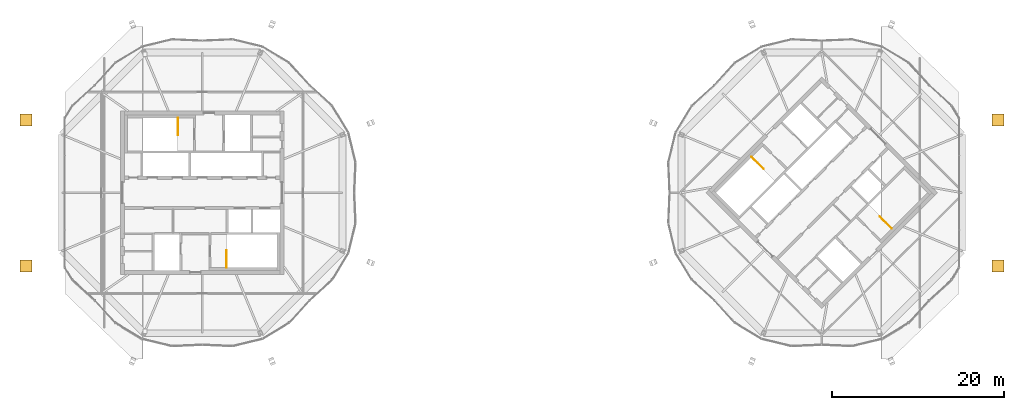
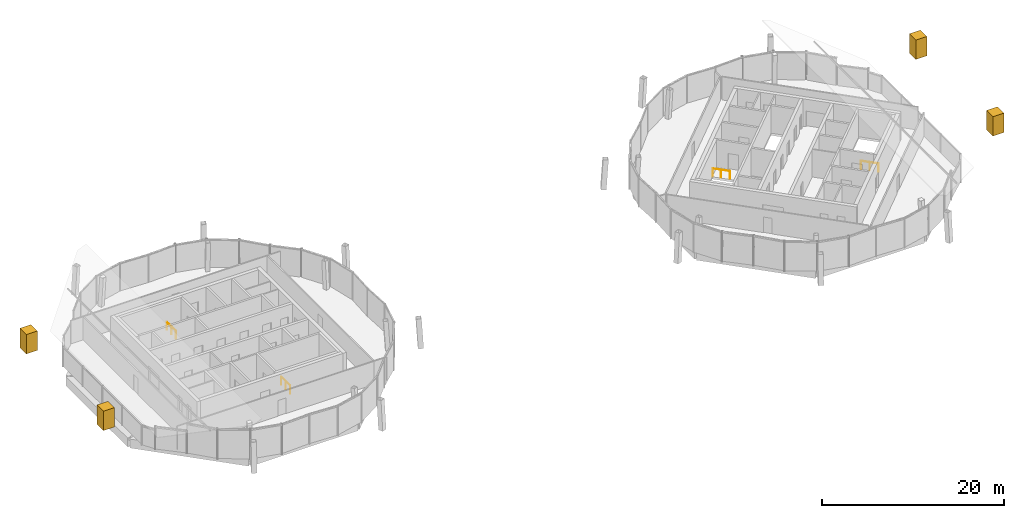
# One storey, part 23 of 23: 4 coverings, 4 railings.
"""IFC4 building model written with IfcOpenShell, lengths in metres."""

import ifcopenshell
import ifcopenshell.guid

model = None  # the IFC model being written
_history = None  # IfcOwnerHistory: only IFC2X3 demands one
_inside = {}  # id of a spatial element -> (the spatial element, [elements in it])
_under = {}  # id of a project, library or spatial element -> (it, [spatial elements below it])
_declared = {}  # id of a project -> (the project, [libraries it declares])
_typed = {}  # id of a type object -> (the type object, [elements of that type])
_made_of = {}  # id of a material, layer set ... -> (it, [elements and type objects made of it])


def new_model(schema):
    """Start an empty IFC model of exactly this schema.

    Asked for "IFC4X3", IfcOpenShell would pick the latest addendum, in which some entities
    have other attributes; the version numbers below select the first issue.
    IFC2X3 requires an IfcOwnerHistory on every rooted entity: one is made here for all.
    """
    global model, _history
    if schema == "IFC4X3":
        model = ifcopenshell.file(schema_version=(4, 3, 0, 0))
    else:
        model = ifcopenshell.file(schema=schema)
    _inside.clear()
    _under.clear()
    _declared.clear()
    _typed.clear()
    _made_of.clear()
    _history = None
    if model.schema == "IFC2X3":
        org = make("IfcOrganization", Name="unknown")
        user = make(
            "IfcPersonAndOrganization",
            ThePerson=make("IfcPerson", FamilyName="unknown"),
            TheOrganization=org,
        )
        app = make(
            "IfcApplication",
            ApplicationDeveloper=org,
            Version="unknown",
            ApplicationFullName="unknown",
            ApplicationIdentifier="unknown",
        )
        _history = make(
            "IfcOwnerHistory",
            OwningUser=user,
            OwningApplication=app,
            ChangeAction="ADDED",
            CreationDate=0,
        )
    return model


def make(cls, **values):
    """One entity of the class cls with the attributes given. An attribute that is None is left unset."""
    return model.create_entity(
        cls, **{name: value for name, value in values.items() if value is not None}
    )


def rooted(cls, **values):
    """An entity with a GlobalId (a new one), such as an element, a storey or a relation."""
    return make(cls, GlobalId=ifcopenshell.guid.new(), OwnerHistory=_history, **values)


def si_unit(unit_type, name, prefix=None):
    """IfcSIUnit, for example si_unit("LENGTHUNIT", "METRE", prefix="MILLI")."""
    return make("IfcSIUnit", UnitType=unit_type, Prefix=prefix, Name=name)


def assignment(units):
    """IfcUnitAssignment: the units of a project."""
    return None if units is None else make("IfcUnitAssignment", Units=units)


def point(xyz):
    """IfcCartesianPoint."""
    return None if xyz is None else make("IfcCartesianPoint", Coordinates=xyz)


def direction(xyz):
    """IfcDirection."""
    return None if xyz is None else make("IfcDirection", DirectionRatios=xyz)


def frame(location, z_axis=None, x_axis=None):
    """IfcAxis2Placement3D, a coordinate frame: its origin and axes. An axis left out is left unset."""
    return make(
        "IfcAxis2Placement3D",
        Location=point(location),
        Axis=direction(z_axis),
        RefDirection=direction(x_axis),
    )


def frame_2d(location, x_axis=None):
    """IfcAxis2Placement2D, a coordinate frame in the plane: its origin and x axis."""
    return make(
        "IfcAxis2Placement2D", Location=point(location), RefDirection=direction(x_axis)
    )


def origin():
    """The frame at (0, 0, 0) with its axes left unset."""
    return frame((0.0, 0.0, 0.0))


def origin_2d():
    """The frame at (0, 0) in the plane with its x axis left unset."""
    return frame_2d((0.0, 0.0))


def place(relative_to, where):
    """IfcLocalPlacement: puts the frame where relative to a parent placement (None: the world)."""
    return make(
        "IfcLocalPlacement", PlacementRelTo=relative_to, RelativePlacement=where
    )


def context(
    kind, dimensions, precision=None, world=None, true_north=None, identifier=None
):
    """IfcGeometricRepresentationContext, for example the 3D "Model" context."""
    return make(
        "IfcGeometricRepresentationContext",
        ContextIdentifier=identifier,
        ContextType=kind,
        CoordinateSpaceDimension=dimensions,
        Precision=precision,
        WorldCoordinateSystem=world,
        TrueNorth=true_north,
    )


def subcontext(parent, identifier, kind, view, scale=None):
    """IfcGeometricRepresentationSubContext, for example "Body" below "Model"."""
    return make(
        "IfcGeometricRepresentationSubContext",
        ContextIdentifier=identifier,
        ContextType=kind,
        ParentContext=parent,
        TargetScale=scale,
        TargetView=view,
    )


def project(units=None, contexts=None):
    """IfcProject with its units and contexts."""
    return rooted(
        "IfcProject",
        Name="project",
        RepresentationContexts=contexts,
        UnitsInContext=assignment(units),
    )


def spatial(cls, under=None, at=None, **own):
    """A site, building, storey or space (cls), placed at a placement, below another one or the project."""
    s = rooted(cls, ObjectPlacement=at, **own)
    if under is not None:
        _under.setdefault(under.id(), (under, []))[1].append(s)
    return s


def polyline(points):
    """IfcPolyline through the points."""
    return make("IfcPolyline", Points=[point(p) for p in points])


def profile(cls, at=None, kind="AREA", **sizes):
    """A parametric profile (cls). Its sizes go by their IFC names, for example OverallWidth=200.0."""
    return make(cls, ProfileType=kind, Position=at, **sizes)


def circle(**sizes):
    """IfcCircleProfileDef."""
    return profile("IfcCircleProfileDef", **sizes)


def outline(outer, holes=None, kind="AREA"):
    """IfcArbitraryClosedProfileDef: a profile drawn as a closed curve; with holes, ...WithVoids."""
    if holes is None:
        return make("IfcArbitraryClosedProfileDef", ProfileType=kind, OuterCurve=outer)
    return make(
        "IfcArbitraryProfileDefWithVoids",
        ProfileType=kind,
        OuterCurve=outer,
        InnerCurves=holes,
    )


def extrude(swept, where, along, depth):
    """IfcExtrudedAreaSolid: the profile swept, set in the frame where, extruded along a direction by depth."""
    return make(
        "IfcExtrudedAreaSolid",
        SweptArea=swept,
        Position=where,
        ExtrudedDirection=direction(along),
        Depth=depth,
    )


def shape(context_of_items, identifier, shape_type, items):
    """IfcShapeRepresentation: the items that make up one representation, for example the "Body"."""
    return make(
        "IfcShapeRepresentation",
        ContextOfItems=context_of_items,
        RepresentationIdentifier=identifier,
        RepresentationType=shape_type,
        Items=items,
    )


def material(Name=None, Category=None):
    """IfcMaterial."""
    return make("IfcMaterial", Name=Name, Category=Category)


def layer(
    of_material, thickness, ventilated=None, Name=None, Category=None, Priority=None
):
    """IfcMaterialLayer: one layer of a wall or slab, of a material (None: an air gap)."""
    return make(
        "IfcMaterialLayer",
        Material=of_material,
        LayerThickness=thickness,
        IsVentilated=ventilated,
        Name=Name,
        Category=Category,
        Priority=Priority,
    )


def layer_set(layers, Name=None):
    """IfcMaterialLayerSet."""
    return make("IfcMaterialLayerSet", MaterialLayers=layers, LayerSetName=Name)


def made_of(thing, what):
    """Note that an element or type object is made of a material, layer set ...; save() writes the relation."""
    if what is not None:
        _made_of.setdefault(what.id(), (what, []))[1].append(thing)
    return thing


def type_object(cls, material=None, **own):
    """A type object (cls), such as IfcWallType, which elements share."""
    return made_of(rooted(cls, **own), material)


def element(
    cls,
    number,
    at=None,
    inside=None,
    cuts=None,
    type_object=None,
    material=None,
    context=None,
    identifier="Body",
    shape_type=None,
    held_by="IfcProductDefinitionShape",
    body=None,
    shapes=None,
    **own,
):
    """One element of the class cls, such as IfcWall. Its Tag is "e" and its number.

    at: its placement. inside: the storey or other place that contains it. cuts: it is an
    opening in that element (IfcRelVoidsElement). A single representation is given by context,
    identifier, shape_type and body (its items); several are given by shapes. held_by: the class
    of the entity that holds the representations. save() writes the other relations.
    """
    e = rooted(cls, Tag="e%d" % number, ObjectPlacement=at, **own)
    if body is not None:
        shapes = [shape(context, identifier, shape_type, body)]
    if shapes is not None:
        e.Representation = make(held_by, Representations=shapes)
    if inside is not None:
        _inside.setdefault(inside.id(), (inside, []))[1].append(e)
    if cuts is not None:
        rooted(
            "IfcRelVoidsElement", RelatingBuildingElement=cuts, RelatedOpeningElement=e
        )
    if type_object is not None:
        _typed.setdefault(type_object.id(), (type_object, []))[1].append(e)
    return made_of(e, material)


def aggregate(whole, parts):
    """IfcRelAggregates: a whole, such as a stair, and the parts it consists of."""
    return rooted("IfcRelAggregates", RelatingObject=whole, RelatedObjects=parts)


def save(model, path):
    """Write the relations noted so far, then the file.

    IfcRelAggregates (storeys below a building ...), IfcRelContainedInSpatialStructure (elements
    in a storey), IfcRelDefinesByType, IfcRelAssociatesMaterial and IfcRelDeclares: one each for
    every whole, place, type object, material and project.
    """
    for whole, parts in _under.values():
        aggregate(whole, parts)
    for where, things in _inside.values():
        rooted(
            "IfcRelContainedInSpatialStructure",
            RelatedElements=things,
            RelatingStructure=where,
        )
    for kind, things in _typed.values():
        rooted("IfcRelDefinesByType", RelatedObjects=things, RelatingType=kind)
    for what, things in _made_of.values():
        rooted("IfcRelAssociatesMaterial", RelatedObjects=things, RelatingMaterial=what)
    for by, libraries in _declared.values():
        rooted("IfcRelDeclares", RelatingContext=by, RelatedDefinitions=libraries)
    model.write(path)


model = new_model("IFC4")

# Units and contexts
model_context = context("Model", 3, precision=1e-05, world=origin(), true_north=direction((0.0, 1.0)))
body_context = subcontext(model_context, "Body", "Model", "MODEL_VIEW")
ifc_project = project(units=[si_unit("LENGTHUNIT", "METRE"), si_unit("AREAUNIT", "SQUARE_METRE"), si_unit("VOLUMEUNIT", "CUBIC_METRE"), si_unit("PLANEANGLEUNIT", "RADIAN"), si_unit("MASSUNIT", "GRAM", prefix="KILO")], contexts=[model_context])

# Site, building, storey
site_placement = place(None, origin())
site = spatial("IfcSite", under=ifc_project, at=site_placement, CompositionType="ELEMENT")
building_placement = place(site_placement, origin())
building = spatial("IfcBuilding", under=site, at=building_placement, Name="Ogive Gate Towers", CompositionType="ELEMENT")
storey_placement = place(building_placement, frame((0.0, 0.0, 302.0)))
storey = spatial("IfcBuildingStorey", under=building, at=storey_placement, Name="L71", CompositionType="ELEMENT", Elevation=302.0)

# Coverings
ifc_material_1 = material(Name="Cast stone", Category="masonry")
ifc_layer = layer(ifc_material_1, 2.60009765625)
ifc_layer_set = layer_set([ifc_layer], Name="Pinnacle tier 1400")
covering_type = type_object("IfcCoveringType", Name="Pinnacle tier 1400", PredefinedType="CLADDING", material=ifc_layer_set)
covering_1_placement = place(storey_placement, frame((0.0, 0.0, 3.738525390625)))
element("IfcCovering", 1, at=covering_1_placement, inside=storey, type_object=covering_type, Name="Crown pinnacle", PredefinedType="CLADDING", context=body_context, shape_type="SweptSolid", body=[
    extrude(outline(polyline([(-57.1845703125, 7.784912109375), (-55.78466796875, 7.784912109375), (-55.78466796875, 9.18505859375), (-57.1845703125, 9.18505859375), (-57.1845703125, 7.784912109375)])), origin(), (0.0, 0.0, 1.0), 2.599853515625),
])
covering_2_placement = place(storey_placement, frame((0.0, 0.0, 3.738525390625)))
element("IfcCovering", 2, at=covering_2_placement, inside=storey, type_object=covering_type, Name="Crown pinnacle", PredefinedType="CLADDING", context=body_context, shape_type="SweptSolid", body=[
    extrude(outline(polyline([(-57.1845703125, -9.18505859375), (-55.78466796875, -9.18505859375), (-55.78466796875, -7.784912109375), (-57.1845703125, -7.784912109375), (-57.1845703125, -9.18505859375)])), origin(), (0.0, 0.0, 1.0), 2.599853515625),
])
covering_3_placement = place(storey_placement, frame((0.0, 0.0, 3.738525390625)))
element("IfcCovering", 3, at=covering_3_placement, inside=storey, type_object=covering_type, Name="Crown pinnacle", PredefinedType="CLADDING", context=body_context, shape_type="SweptSolid", body=[
    extrude(outline(polyline([(57.1845703125, 9.18505859375), (55.78466796875, 9.18505859375), (55.78466796875, 7.784912109375), (57.1845703125, 7.784912109375), (57.1845703125, 9.18505859375)])), origin(), (0.0, 0.0, 1.0), 2.599853515625),
])
covering_4_placement = place(storey_placement, frame((0.0, 0.0, 3.738525390625)))
element("IfcCovering", 4, at=covering_4_placement, inside=storey, type_object=covering_type, Name="Crown pinnacle", PredefinedType="CLADDING", context=body_context, shape_type="SweptSolid", body=[
    extrude(outline(polyline([(57.1845703125, -7.784912109375), (55.78466796875, -7.784912109375), (55.78466796875, -9.18505859375), (57.1845703125, -9.18505859375), (57.1845703125, -7.784912109375)])), origin(), (0.0, 0.0, 1.0), 2.599853515625),
])

# Railings
ifc_material_2 = material(Name="Stainless steel", Category="steel")
railing_type = type_object("IfcRailingType", Name="Stair guard 1100", PredefinedType="GUARDRAIL", material=ifc_material_2)
railing_1_placement = place(storey_placement, frame((-38.81494140625, 8.699951171875, 0.0)))
element("IfcRailing", 5, at=railing_1_placement, inside=storey, type_object=railing_type, Name="L71 ST1 top well guard 1", PredefinedType="GUARDRAIL", context=body_context, shape_type="SweptSolid", body=[
    extrude(circle(Radius=0.02392578125, at=origin_2d()), frame((0.0, 0.0, 1.076171875), z_axis=(0.0, -1.0, 0.0), x_axis=(1.0, 0.0, 0.0)), (0.0, 0.0, 1.0), 1.98486328125),
    extrude(circle(Radius=0.02099609375, at=origin_2d()), origin(), (0.0, 0.0, 1.0), 1.052001953125),
    extrude(circle(Radius=0.02099609375, at=origin_2d()), frame((0.0, -0.992431640625, 0.0)), (0.0, 0.0, 1.0), 1.052001953125),
    extrude(circle(Radius=0.02099609375, at=origin_2d()), frame((0.0, -1.98486328125, 0.0)), (0.0, 0.0, 1.0), 1.052001953125),
])
railing_2_placement = place(storey_placement, frame((-33.18505859375, -8.699951171875, 0.0)))
element("IfcRailing", 6, at=railing_2_placement, inside=storey, type_object=railing_type, Name="L71 ST2 top well guard 1", PredefinedType="GUARDRAIL", context=body_context, shape_type="SweptSolid", body=[
    extrude(circle(Radius=0.02392578125, at=origin_2d()), frame((0.0, 0.0, 1.076171875), z_axis=(0.0, 1.0, 0.0), x_axis=(-1.0, 0.0, 0.0)), (0.0, 0.0, 1.0), 1.98486328125),
    extrude(circle(Radius=0.02099609375, at=origin_2d()), origin(), (0.0, 0.0, 1.0), 1.052001953125),
    extrude(circle(Radius=0.02099609375, at=origin_2d()), frame((0.0, 0.992431640625, 0.0)), (0.0, 0.0, 1.0), 1.052001953125),
    extrude(circle(Radius=0.02099609375, at=origin_2d()), frame((0.0, 1.98486328125, 0.0)), (0.0, 0.0, 1.0), 1.052001953125),
])
railing_3_placement = place(storey_placement, frame((27.857666015625, 4.161376953125, 0.0)))
element("IfcRailing", 7, at=railing_3_placement, inside=storey, type_object=railing_type, Name="L71 ST1 top well guard 1", PredefinedType="GUARDRAIL", context=body_context, shape_type="SweptSolid", body=[
    extrude(circle(Radius=0.02392578125, at=origin_2d()), frame((0.0, 0.0, 1.076171875), z_axis=(0.707106781187, -0.707106781187, 0.0), x_axis=(0.707106781187, 0.707106781187, 0.0)), (0.0, 0.0, 1.0), 1.98486328125),
    extrude(circle(Radius=0.02099609375, at=origin_2d()), origin(), (0.0, 0.0, 1.0), 1.052001953125),
    extrude(circle(Radius=0.02099609375, at=origin_2d()), frame((0.70166015625, -0.70166015625, 0.0)), (0.0, 0.0, 1.0), 1.052001953125),
    extrude(circle(Radius=0.02099609375, at=origin_2d()), frame((1.403564453125, -1.403564453125, 0.0)), (0.0, 0.0, 1.0), 1.052001953125),
])
railing_4_placement = place(storey_placement, frame((44.142333984375, -4.161376953125, 0.0)))
element("IfcRailing", 8, at=railing_4_placement, inside=storey, type_object=railing_type, Name="L71 ST2 top well guard 1", PredefinedType="GUARDRAIL", context=body_context, shape_type="SweptSolid", body=[
    extrude(circle(Radius=0.02392578125, at=origin_2d()), frame((0.0, 0.0, 1.076171875), z_axis=(-0.707106781187, 0.707106781187, 0.0), x_axis=(-0.707106781187, -0.707106781187, 0.0)), (0.0, 0.0, 1.0), 1.98486328125),
    extrude(circle(Radius=0.02099609375, at=origin_2d()), origin(), (0.0, 0.0, 1.0), 1.052001953125),
    extrude(circle(Radius=0.02099609375, at=origin_2d()), frame((-0.70166015625, 0.70166015625, 0.0)), (0.0, 0.0, 1.0), 1.052001953125),
    extrude(circle(Radius=0.02099609375, at=origin_2d()), frame((-1.403564453125, 1.403564453125, 0.0)), (0.0, 0.0, 1.0), 1.052001953125),
])

save(model, "model.ifc")
